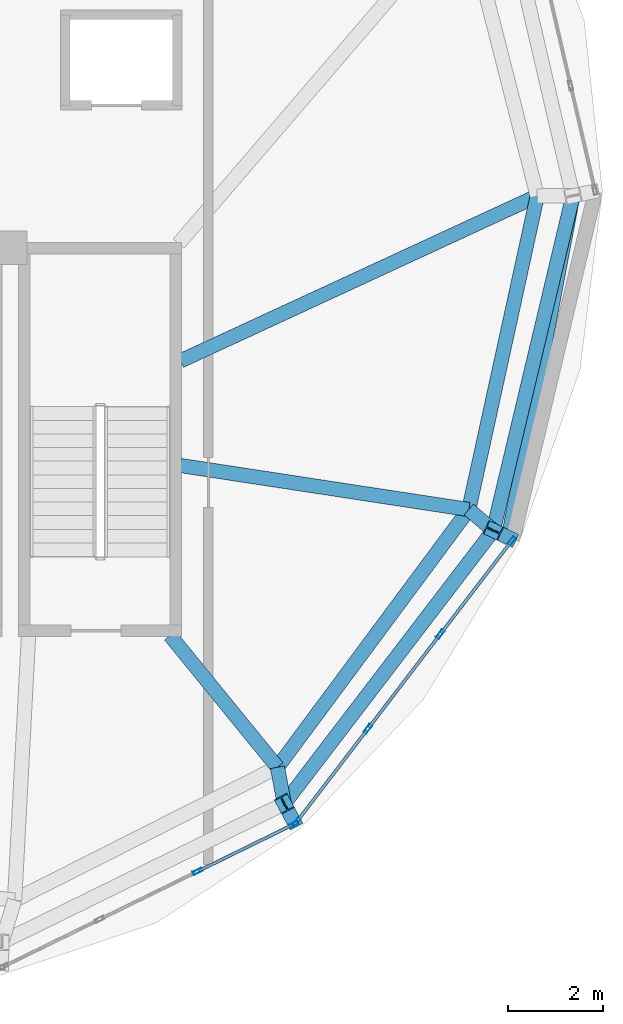
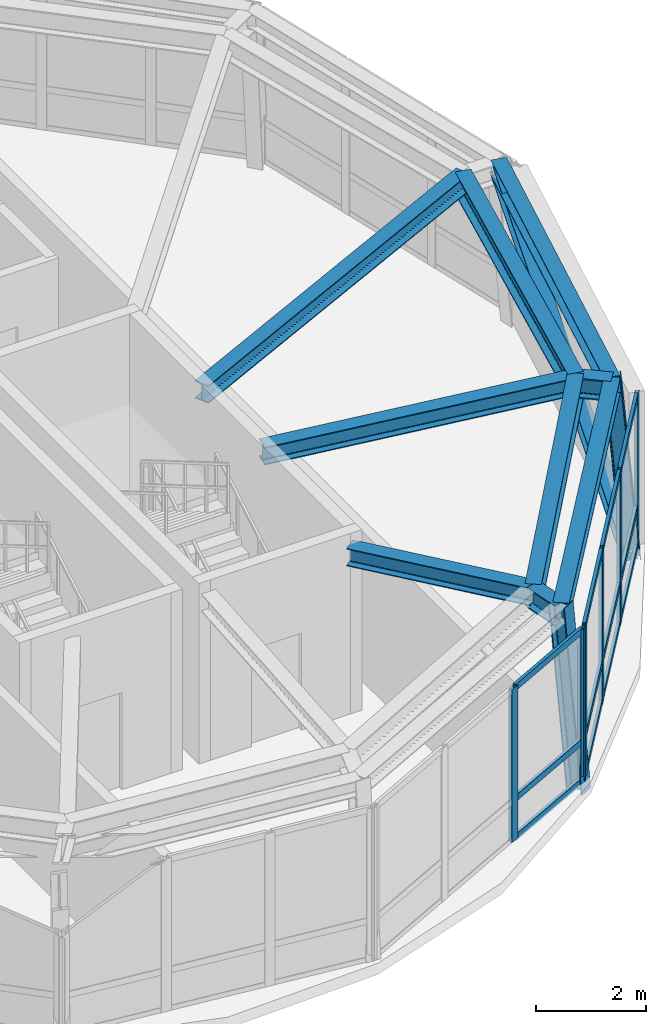
# One storey, part 4 of 9: 21 members, 9 beams, 2 elements without a shape of their own.
"""IFC4 building model written with IfcOpenShell, lengths in metres."""

from ifc_helpers import new_model, si_unit, direction, frame, origin, origin_2d, place, context, subcontext, project, spatial, hollow_rectangle, i_section, extrude, material, layer, layer_set, material_profile, profile_set, type_object, element, aggregate, save


model = new_model("IFC4")

# Units and contexts
model_context = context("Model", 3, precision=1e-05, world=origin(), true_north=direction((0.0, 1.0)))
body_context = subcontext(model_context, "Body", "Model", "MODEL_VIEW")
ifc_project = project(units=[si_unit("LENGTHUNIT", "METRE"), si_unit("AREAUNIT", "SQUARE_METRE"), si_unit("VOLUMEUNIT", "CUBIC_METRE"), si_unit("PLANEANGLEUNIT", "RADIAN"), si_unit("MASSUNIT", "GRAM", prefix="KILO"), si_unit("THERMODYNAMICTEMPERATUREUNIT", "KELVIN"), si_unit("POWERUNIT", "WATT")], contexts=[model_context])

# Site, building, storey
site_placement = place(None, origin())
site = spatial("IfcSite", under=ifc_project, at=site_placement, CompositionType="ELEMENT")
building_placement = place(site_placement, origin())
building = spatial("IfcBuilding", under=site, at=building_placement, Name="Ocrelia Relay Tower", CompositionType="ELEMENT")
storey_placement = place(building_placement, frame((0.0, 0.0, 296.0)))
storey = spatial("IfcBuildingStorey", under=building, at=storey_placement, Name="L74", CompositionType="ELEMENT", Elevation=296.0)

# Beams
ifc_material_1 = material(Name="Steel S355", Category="steel")
ifc_material_profile_1 = material_profile(ifc_material_1, i_section(OverallWidth=0.300048828125, OverallDepth=0.35009765625, WebThickness=0.010009765625, FlangeThickness=0.017578125, FilletRadius=0.027099609375, at=origin_2d()), Name="HEA 360")
ifc_profile_set_1 = profile_set([ifc_material_profile_1], Name="Steel S355")
beam_type_1 = type_object("IfcBeamType", Name="BM-HEA360", PredefinedType="SPANDREL", material=ifc_profile_set_1)
for number, where, z_axis, x_axis, name in (
    (1, (39.73779296875, 15.470947265625, 3.574951171875), (0.607608504401, 0.794236680958, 0.0), (-0.794236680958, 0.607608504401, 0.0), "L74 Crown Faceted Ring Beam R09"),
    (2, (44.117431640625, 21.19580078125, 3.574951171875), (0.231473992894, 0.97284109217, 0.0), (-0.97284109217, 0.231473992894, 0.0), "L74 Crown Faceted Ring Beam R10"),
):
    element("IfcBeam", number, at=place(storey_placement, frame(where, z_axis=z_axis, x_axis=x_axis)), inside=storey, type_object=beam_type_1, Name=name, PredefinedType="SPANDREL", context=body_context, shape_type="SweptSolid", body=[
        extrude(i_section(OverallWidth=0.300048828125, OverallDepth=0.35009765625, WebThickness=0.010009765625, FlangeThickness=0.017578125, FilletRadius=0.027099609375, at=origin_2d()), origin(), (0.0, 0.0, 1.0), 7.2080078125),
    ])
ifc_material_profile_2 = material_profile(ifc_material_1, i_section(OverallWidth=0.300048828125, OverallDepth=0.389892578125, WebThickness=0.010986328125, FlangeThickness=0.01904296875, FilletRadius=0.027099609375, at=origin_2d()), Name="HEA 400")
ifc_profile_set_2 = profile_set([ifc_material_profile_2], Name="Steel S355")
beam_type_2 = type_object("IfcBeamType", Name="BM-HEA400", PredefinedType="SPANDREL", material=ifc_profile_set_2)
beam_1_placement = place(storey_placement, frame((39.595703125, 16.23291015625, 3.554931640625), z_axis=(-0.6316393955, 0.775262325959, 0.0), x_axis=(-0.775262325959, -0.6316393955, 0.0)))
element("IfcBeam", 3, at=beam_1_placement, inside=storey, type_object=beam_type_2, Name="L74 Crown Radial Floor Beam 09", PredefinedType="SPANDREL", context=body_context, shape_type="SweptSolid", body=[
    extrude(i_section(OverallWidth=0.300048828125, OverallDepth=0.389892578125, WebThickness=0.010986328125, FlangeThickness=0.01904296875, FilletRadius=0.027099609375, at=origin_2d()), origin(), (0.0, 0.0, 1.0), 3.56298828125),
])
beam_2_placement = place(storey_placement, frame((43.60400390625, 21.63330078125, 3.554931640625), z_axis=(-0.98853651091, 0.150982007528, 0.0), x_axis=(-0.150982007528, -0.98853651091, 0.0)))
element("IfcBeam", 4, at=beam_2_placement, inside=storey, type_object=beam_type_2, Name="L74 Crown Radial Floor Beam 10", PredefinedType="SPANDREL", context=body_context, shape_type="SweptSolid", body=[
    extrude(i_section(OverallWidth=0.300048828125, OverallDepth=0.389892578125, WebThickness=0.010986328125, FlangeThickness=0.01904296875, FilletRadius=0.027099609375, at=origin_2d()), origin(), (0.0, 0.0, 1.0), 6.109130859375),
])
beam_3_placement = place(storey_placement, frame((45.03857421875, 28.203857421875, 3.554931640625), z_axis=(-0.907672788351, -0.419678578542, 0.0), x_axis=(0.419678578542, -0.907672788351, 0.0)))
element("IfcBeam", 5, at=beam_3_placement, inside=storey, type_object=beam_type_2, Name="L74 Crown Radial Floor Beam 11", PredefinedType="SPANDREL", context=body_context, shape_type="SweptSolid", body=[
    extrude(i_section(OverallWidth=0.300048828125, OverallDepth=0.389892578125, WebThickness=0.010986328125, FlangeThickness=0.01904296875, FilletRadius=0.027099609375, at=origin_2d()), origin(), (0.0, 0.0, 1.0), 8.23388671875),
])
ifc_material_profile_3 = material_profile(ifc_material_1, i_section(OverallWidth=0.300048828125, OverallDepth=0.449951171875, WebThickness=0.013916015625, FlangeThickness=0.02587890625, FilletRadius=0.027099609375, at=origin_2d()), Name="HEB 450")
ifc_profile_set_3 = profile_set([ifc_material_profile_3], Name="Steel S355")
beam_type_3 = type_object("IfcBeamType", Name="BM-HEB450", PredefinedType="BEAM", material=ifc_profile_set_3)
beam_4_placement = place(storey_placement, frame((39.73779296875, 15.470947265625, 3.52490234375), z_axis=(-0.183318543671, 0.983053564943, 0.0), x_axis=(-0.983053564943, -0.183318543671, 0.0)))
element("IfcBeam", 6, at=beam_4_placement, inside=storey, type_object=beam_type_3, Name="L74 Crown Step Radial Beam ST09", PredefinedType="BEAM", context=body_context, shape_type="SweptSolid", body=[
    extrude(i_section(OverallWidth=0.300048828125, OverallDepth=0.449951171875, WebThickness=0.013916015625, FlangeThickness=0.02587890625, FilletRadius=0.027099609375, at=origin_2d()), origin(), (0.0, 0.0, 1.0), 0.775146484375),
])
beam_5_placement = place(storey_placement, frame((44.117431640625, 21.19580078125, 3.52490234375), z_axis=(-0.761143963462, 0.64858296839, 0.0), x_axis=(-0.64858296839, -0.761143963462, 0.0)))
element("IfcBeam", 7, at=beam_5_placement, inside=storey, type_object=beam_type_3, Name="L74 Crown Step Radial Beam ST10", PredefinedType="BEAM", context=body_context, shape_type="SweptSolid", body=[
    extrude(i_section(OverallWidth=0.300048828125, OverallDepth=0.449951171875, WebThickness=0.013916015625, FlangeThickness=0.02587890625, FilletRadius=0.027099609375, at=origin_2d()), origin(), (0.0, 0.0, 1.0), 0.674560546875),
])
ifc_material_profile_4 = material_profile(ifc_material_1, i_section(OverallWidth=0.300048828125, OverallDepth=0.5, WebThickness=0.014404296875, FlangeThickness=0.028076171875, FilletRadius=0.027099609375, at=origin_2d()), Name="HEB 500")
ifc_profile_set_4 = profile_set([ifc_material_profile_4], Name="Steel S355")
beam_type_4 = type_object("IfcBeamType", Name="BM-HEB500", PredefinedType="BEAM", material=ifc_profile_set_4)
for number, where, z_axis, x_axis, name in (
    (8, (39.595703125, 16.23291015625, 3.5), (0.595996456139, 0.802987063576, 0.0), (-0.802987063576, 0.595996456139, 0.0), "L74 Crown Step Perimeter Ring Beam SR09"),
    (9, (43.60400390625, 21.63330078125, 3.5), (0.213308201333, 0.976984959579, 0.0), (-0.976984959579, 0.213308201333, 0.0), "L74 Crown Step Perimeter Ring Beam SR10"),
):
    element("IfcBeam", number, at=place(storey_placement, frame(where, z_axis=z_axis, x_axis=x_axis)), inside=storey, type_object=beam_type_4, Name=name, PredefinedType="BEAM", context=body_context, shape_type="SweptSolid", body=[
        extrude(i_section(OverallWidth=0.300048828125, OverallDepth=0.5, WebThickness=0.014404296875, FlangeThickness=0.028076171875, FilletRadius=0.027099609375, at=origin_2d()), origin(), (0.0, 0.0, 1.0), 6.725341796875),
    ])

# Curtain wall, members
ifc_material_2 = material(Name="Aluminium and solar-control low-E glass", Category="aluminium")
ifc_layer = layer(ifc_material_2, 0.179931640625, Name="Aluminium and solar-control low-E glass")
ifc_layer_set = layer_set([ifc_layer], Name="Aluminium and solar-control low-E glass")
curtain_wall_type = type_object("IfcCurtainWallType", Name="CW-SYS-CROWN-PT", PredefinedType="NOTDEFINED", material=ifc_layer_set)
curtain_wall_1_placement = place(storey_placement, origin())
curtain_wall_1 = element("IfcCurtainWall", 10, at=curtain_wall_1_placement, inside=storey, type_object=curtain_wall_type, Name="L74 Faceted Glass-Point Crown Curtain Wall 08", PredefinedType="NOTDEFINED")
ifc_material_3 = material(Name="Anodised bronze aluminium", Category="aluminium")
ifc_material_profile_5 = material_profile(ifc_material_3, hollow_rectangle(XDim=0.074951171875, YDim=0.199951171875, WallThickness=0.006103515625, at=origin_2d()), Name="CW-MUL-200x75")
ifc_profile_set_5 = profile_set([ifc_material_profile_5], Name="Anodised bronze aluminium")
member_type_1 = type_object("IfcMemberType", Name="CW-SYS-CROWN-PT-MUL", PredefinedType="MULLION", material=ifc_profile_set_5)
member_1_placement = place(storey_placement, frame((37.92138671875, 14.050537109375, 0.0), z_axis=(0.0, 0.0, 1.0), x_axis=(-0.440058914423, 0.897968903602, 0.0)))
member_1 = element("IfcMember", 11, at=member_1_placement, type_object=member_type_1, Name="CW-CR mullion 3", PredefinedType="MULLION", context=body_context, shape_type="SweptSolid", body=[
    extrude(hollow_rectangle(XDim=0.074951171875, YDim=0.199951171875, WallThickness=0.006103515625, at=origin_2d()), origin(), (0.0, 0.0, 1.0), 3.389892578125),
])
member_2_placement = place(storey_placement, frame((39.938232421875, 15.0390625, 0.0), z_axis=(0.0, 0.0, 1.0), x_axis=(-0.440058914423, 0.897968903602, 0.0)))
member_2 = element("IfcMember", 12, at=member_2_placement, type_object=member_type_1, Name="CW-CR mullion 4", PredefinedType="MULLION", context=body_context, shape_type="SweptSolid", body=[
    extrude(hollow_rectangle(XDim=0.074951171875, YDim=0.199951171875, WallThickness=0.006103515625, at=origin_2d()), origin(), (0.0, 0.0, 1.0), 3.389892578125),
])

curtain_wall_2_placement = place(storey_placement, origin())
curtain_wall_2 = element("IfcCurtainWall", 13, at=curtain_wall_2_placement, inside=storey, type_object=curtain_wall_type, Name="L74 Faceted Glass-Point Crown Curtain Wall 09", PredefinedType="NOTDEFINED")
member_3_placement = place(storey_placement, frame((39.994873046875, 15.085205078125, 0.0), z_axis=(0.0, 0.0, 1.0), x_axis=(-0.7941072518, 0.607777650658, 0.0)))
member_3 = element("IfcMember", 14, at=member_3_placement, type_object=member_type_1, Name="CW-CR mullion 1", PredefinedType="MULLION", context=body_context, shape_type="SweptSolid", body=[
    extrude(hollow_rectangle(XDim=0.074951171875, YDim=0.199951171875, WallThickness=0.006103515625, at=origin_2d()), origin(), (0.0, 0.0, 1.0), 3.389892578125),
])
member_4_placement = place(storey_placement, frame((41.4892578125, 17.0380859375, 0.0), z_axis=(0.0, 0.0, 1.0), x_axis=(-0.7941072518, 0.607777650658, 0.0)))
member_4 = element("IfcMember", 15, at=member_4_placement, type_object=member_type_1, Name="CW-CR mullion 2", PredefinedType="MULLION", context=body_context, shape_type="SweptSolid", body=[
    extrude(hollow_rectangle(XDim=0.074951171875, YDim=0.199951171875, WallThickness=0.006103515625, at=origin_2d()), origin(), (0.0, 0.0, 1.0), 3.389892578125),
])
member_5_placement = place(storey_placement, frame((43.006591796875, 19.0205078125, 0.0), z_axis=(0.0, 0.0, 1.0), x_axis=(-0.7941072518, 0.607777650658, 0.0)))
member_5 = element("IfcMember", 16, at=member_5_placement, type_object=member_type_1, Name="CW-CR mullion 3", PredefinedType="MULLION", context=body_context, shape_type="SweptSolid", body=[
    extrude(hollow_rectangle(XDim=0.074951171875, YDim=0.199951171875, WallThickness=0.006103515625, at=origin_2d()), origin(), (0.0, 0.0, 1.0), 3.389892578125),
])
member_6_placement = place(storey_placement, frame((44.501220703125, 20.97314453125, 0.0), z_axis=(0.0, 0.0, 1.0), x_axis=(-0.7941072518, 0.607777650658, 0.0)))
member_6 = element("IfcMember", 17, at=member_6_placement, type_object=member_type_1, Name="CW-CR mullion 4", PredefinedType="MULLION", context=body_context, shape_type="SweptSolid", body=[
    extrude(hollow_rectangle(XDim=0.074951171875, YDim=0.199951171875, WallThickness=0.006103515625, at=origin_2d()), origin(), (0.0, 0.0, 1.0), 3.389892578125),
])

# Member
ifc_material_profile_6 = material_profile(ifc_material_3, hollow_rectangle(XDim=0.06494140625, YDim=0.139892578125, WallThickness=0.0048828125, at=origin_2d()), Name="CW-TRN-140x65")
ifc_profile_set_6 = profile_set([ifc_material_profile_6], Name="Anodised bronze aluminium")
member_type_2 = type_object("IfcMemberType", Name="CW-SYS-CROWN-PT-TRN", PredefinedType="USERDEFINED", material=ifc_profile_set_6)
member_7_placement = place(storey_placement, frame((37.955078125, 14.067138671875, 0.032470703125), z_axis=(0.897974748645, 0.440046987032, 0.0), x_axis=(-0.440046987032, 0.897974748645, 0.0)))
member_7 = element("IfcMember", 18, at=member_7_placement, type_object=member_type_2, Name="CW-CR transom 3.1", ObjectType="TRANSOM", PredefinedType="USERDEFINED", context=body_context, shape_type="SweptSolid", body=[
    extrude(hollow_rectangle(XDim=0.06494140625, YDim=0.139892578125, WallThickness=0.0048828125, at=origin_2d()), origin(), (0.0, 0.0, 1.0), 2.1708984375),
])

member_8_placement = place(storey_placement, frame((37.955078125, 14.067138671875, 0.89990234375), z_axis=(0.897974748645, 0.440046987032, 0.0), x_axis=(-0.440046987032, 0.897974748645, 0.0)))
member_8 = element("IfcMember", 19, at=member_8_placement, type_object=member_type_2, Name="CW-CR transom 3.2", ObjectType="TRANSOM", PredefinedType="USERDEFINED", context=body_context, shape_type="SweptSolid", body=[
    extrude(hollow_rectangle(XDim=0.06494140625, YDim=0.139892578125, WallThickness=0.0048828125, at=origin_2d()), origin(), (0.0, 0.0, 1.0), 2.1708984375),
])

member_9_placement = place(storey_placement, frame((37.955078125, 14.067138671875, 3.357421875), z_axis=(0.897974748645, 0.440046987032, 0.0), x_axis=(-0.440046987032, 0.897974748645, 0.0)))
member_9 = element("IfcMember", 20, at=member_9_placement, type_object=member_type_2, Name="CW-CR transom 3.3", ObjectType="TRANSOM", PredefinedType="USERDEFINED", context=body_context, shape_type="SweptSolid", body=[
    extrude(hollow_rectangle(XDim=0.06494140625, YDim=0.139892578125, WallThickness=0.0048828125, at=origin_2d()), origin(), (0.0, 0.0, 1.0), 2.1708984375),
])

aggregate(curtain_wall_1, [member_1, member_2, member_7, member_8, member_9])

member_10_placement = place(storey_placement, frame((40.017578125, 15.114990234375, 0.032470703125), z_axis=(0.607754138007, 0.794125246882, 0.0), x_axis=(-0.794125246882, 0.607754138007, 0.0)))
member_10 = element("IfcMember", 21, at=member_10_placement, type_object=member_type_2, Name="CW-CR transom 1.1", ObjectType="TRANSOM", PredefinedType="USERDEFINED", context=body_context, shape_type="SweptSolid", body=[
    extrude(hollow_rectangle(XDim=0.06494140625, YDim=0.139892578125, WallThickness=0.0048828125, at=origin_2d()), origin(), (0.0, 0.0, 1.0), 2.384033203125),
])

member_11_placement = place(storey_placement, frame((40.017578125, 15.114990234375, 0.89990234375), z_axis=(0.607754138007, 0.794125246882, 0.0), x_axis=(-0.794125246882, 0.607754138007, 0.0)))
member_11 = element("IfcMember", 22, at=member_11_placement, type_object=member_type_2, Name="CW-CR transom 1.2", ObjectType="TRANSOM", PredefinedType="USERDEFINED", context=body_context, shape_type="SweptSolid", body=[
    extrude(hollow_rectangle(XDim=0.06494140625, YDim=0.139892578125, WallThickness=0.0048828125, at=origin_2d()), origin(), (0.0, 0.0, 1.0), 2.384033203125),
])

member_12_placement = place(storey_placement, frame((40.017578125, 15.114990234375, 3.357421875), z_axis=(0.607754138007, 0.794125246882, 0.0), x_axis=(-0.794125246882, 0.607754138007, 0.0)))
member_12 = element("IfcMember", 23, at=member_12_placement, type_object=member_type_2, Name="CW-CR transom 1.3", ObjectType="TRANSOM", PredefinedType="USERDEFINED", context=body_context, shape_type="SweptSolid", body=[
    extrude(hollow_rectangle(XDim=0.06494140625, YDim=0.139892578125, WallThickness=0.0048828125, at=origin_2d()), origin(), (0.0, 0.0, 1.0), 2.384033203125),
])

member_13_placement = place(storey_placement, frame((41.51220703125, 17.067626953125, 0.032470703125), z_axis=(0.607730731039, 0.794143159985, 0.0), x_axis=(-0.794143159985, 0.607730731039, 0.0)))
member_13 = element("IfcMember", 24, at=member_13_placement, type_object=member_type_2, Name="CW-CR transom 2.1", ObjectType="TRANSOM", PredefinedType="USERDEFINED", context=body_context, shape_type="SweptSolid", body=[
    extrude(hollow_rectangle(XDim=0.06494140625, YDim=0.139892578125, WallThickness=0.0048828125, at=origin_2d()), origin(), (0.0, 0.0, 1.0), 2.421630859375),
])

member_14_placement = place(storey_placement, frame((41.51220703125, 17.067626953125, 0.89990234375), z_axis=(0.607730731039, 0.794143159985, 0.0), x_axis=(-0.794143159985, 0.607730731039, 0.0)))
member_14 = element("IfcMember", 25, at=member_14_placement, type_object=member_type_2, Name="CW-CR transom 2.2", ObjectType="TRANSOM", PredefinedType="USERDEFINED", context=body_context, shape_type="SweptSolid", body=[
    extrude(hollow_rectangle(XDim=0.06494140625, YDim=0.139892578125, WallThickness=0.0048828125, at=origin_2d()), origin(), (0.0, 0.0, 1.0), 2.421630859375),
])

member_15_placement = place(storey_placement, frame((41.51220703125, 17.067626953125, 3.357421875), z_axis=(0.607730731039, 0.794143159985, 0.0), x_axis=(-0.794143159985, 0.607730731039, 0.0)))
member_15 = element("IfcMember", 26, at=member_15_placement, type_object=member_type_2, Name="CW-CR transom 2.3", ObjectType="TRANSOM", PredefinedType="USERDEFINED", context=body_context, shape_type="SweptSolid", body=[
    extrude(hollow_rectangle(XDim=0.06494140625, YDim=0.139892578125, WallThickness=0.0048828125, at=origin_2d()), origin(), (0.0, 0.0, 1.0), 2.421630859375),
])

member_16_placement = place(storey_placement, frame((43.029296875, 19.05029296875, 0.032470703125), z_axis=(0.607803563283, 0.794087418651, 0.0), x_axis=(-0.794087418651, 0.607803563283, 0.0)))
member_16 = element("IfcMember", 27, at=member_16_placement, type_object=member_type_2, Name="CW-CR transom 3.1", ObjectType="TRANSOM", PredefinedType="USERDEFINED", context=body_context, shape_type="SweptSolid", body=[
    extrude(hollow_rectangle(XDim=0.06494140625, YDim=0.139892578125, WallThickness=0.0048828125, at=origin_2d()), origin(), (0.0, 0.0, 1.0), 2.384033203125),
])

member_17_placement = place(storey_placement, frame((43.029296875, 19.05029296875, 0.89990234375), z_axis=(0.607803563283, 0.794087418651, 0.0), x_axis=(-0.794087418651, 0.607803563283, 0.0)))
member_17 = element("IfcMember", 28, at=member_17_placement, type_object=member_type_2, Name="CW-CR transom 3.2", ObjectType="TRANSOM", PredefinedType="USERDEFINED", context=body_context, shape_type="SweptSolid", body=[
    extrude(hollow_rectangle(XDim=0.06494140625, YDim=0.139892578125, WallThickness=0.0048828125, at=origin_2d()), origin(), (0.0, 0.0, 1.0), 2.384033203125),
])

member_18_placement = place(storey_placement, frame((43.029296875, 19.05029296875, 3.357421875), z_axis=(0.607803563283, 0.794087418651, 0.0), x_axis=(-0.794087418651, 0.607803563283, 0.0)))
member_18 = element("IfcMember", 29, at=member_18_placement, type_object=member_type_2, Name="CW-CR transom 3.3", ObjectType="TRANSOM", PredefinedType="USERDEFINED", context=body_context, shape_type="SweptSolid", body=[
    extrude(hollow_rectangle(XDim=0.06494140625, YDim=0.139892578125, WallThickness=0.0048828125, at=origin_2d()), origin(), (0.0, 0.0, 1.0), 2.384033203125),
])

aggregate(curtain_wall_2, [member_3, member_4, member_5, member_6, member_10, member_11, member_12, member_13, member_14, member_15, member_16, member_17, member_18])

# Members
ifc_material_profile_7 = material_profile(ifc_material_1, i_section(OverallWidth=0.300048828125, OverallDepth=0.300048828125, WebThickness=0.010986328125, FlangeThickness=0.01904296875, FilletRadius=0.027099609375, at=origin_2d()), Name="HEB 300")
ifc_profile_set_7 = profile_set([ifc_material_profile_7], Name="Steel S355")
member_type_3 = type_object("IfcMemberType", Name="MB-CROWN-DIAG", PredefinedType="BRACE", material=ifc_profile_set_7)
member_19_placement = place(storey_placement, frame((44.43359375, 21.0458984375, -0.25), z_axis=(0.164286357092, 0.870103732019, 0.464682136949), x_axis=(-0.982637810407, 0.185534184342, 0.0)))
element("IfcMember", 30, at=member_19_placement, inside=storey, type_object=member_type_3, Name="L74 Crown Bracing Diagonal CD10", PredefinedType="BRACE", context=body_context, shape_type="SweptSolid", body=[
    extrude(i_section(OverallWidth=0.300048828125, OverallDepth=0.300048828125, WebThickness=0.010986328125, FlangeThickness=0.01904296875, FilletRadius=0.027099609375, at=origin_2d()), origin(), (0.0, 0.0, 1.0), 8.2314453125),
])
ifc_material_profile_8 = material_profile(ifc_material_1, i_section(OverallWidth=0.300048828125, OverallDepth=0.340087890625, WebThickness=0.011962890625, FlangeThickness=0.021484375, FilletRadius=0.027099609375, at=origin_2d()), Name="HEB 340")
ifc_profile_set_8 = profile_set([ifc_material_profile_8], Name="Steel S355")
member_type_4 = type_object("IfcMemberType", Name="MB-CROWN-RIB", PredefinedType="STRUT", material=ifc_profile_set_8)
member_20_placement = place(storey_placement, frame((39.915283203125, 15.1376953125, -0.25), z_axis=(-0.04417619059, 0.082944291823, 0.995574562069), x_axis=(-0.882621285734, -0.470084743391, 0.0)))
element("IfcMember", 31, at=member_20_placement, inside=storey, type_object=member_type_4, Name="L74 Crown Faceted Structural Strut Rib CR09", PredefinedType="STRUT", context=body_context, shape_type="SweptSolid", body=[
    extrude(i_section(OverallWidth=0.300048828125, OverallDepth=0.340087890625, WebThickness=0.011962890625, FlangeThickness=0.021484375, FilletRadius=0.027099609375, at=origin_2d()), origin(), (0.0, 0.0, 1.0), 4.017822265625),
])
member_21_placement = place(storey_placement, frame((44.43359375, 21.0458984375, -0.25), z_axis=(-0.078739849675, 0.037333025251, 0.99619590508), x_axis=(-0.428416246037, -0.903581496121, 0.0)))
element("IfcMember", 32, at=member_21_placement, inside=storey, type_object=member_type_4, Name="L74 Crown Faceted Structural Strut Rib CR10", PredefinedType="STRUT", context=body_context, shape_type="SweptSolid", body=[
    extrude(i_section(OverallWidth=0.300048828125, OverallDepth=0.340087890625, WebThickness=0.011962890625, FlangeThickness=0.021484375, FilletRadius=0.027099609375, at=origin_2d()), origin(), (0.0, 0.0, 1.0), 4.015380859375),
])

save(model, "model.ifc")
